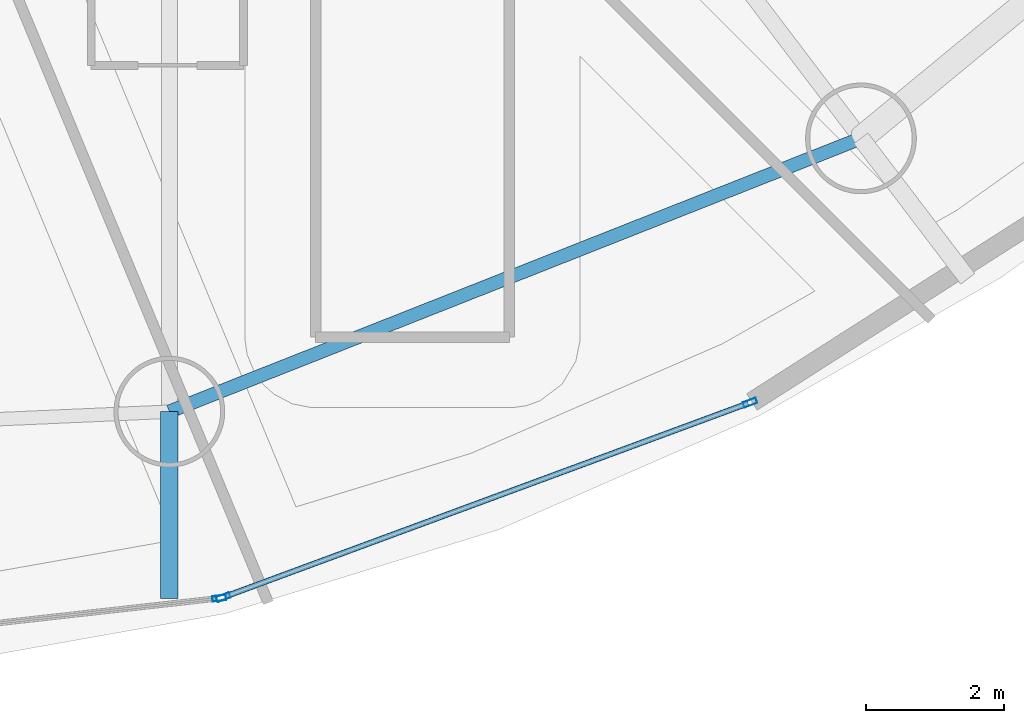
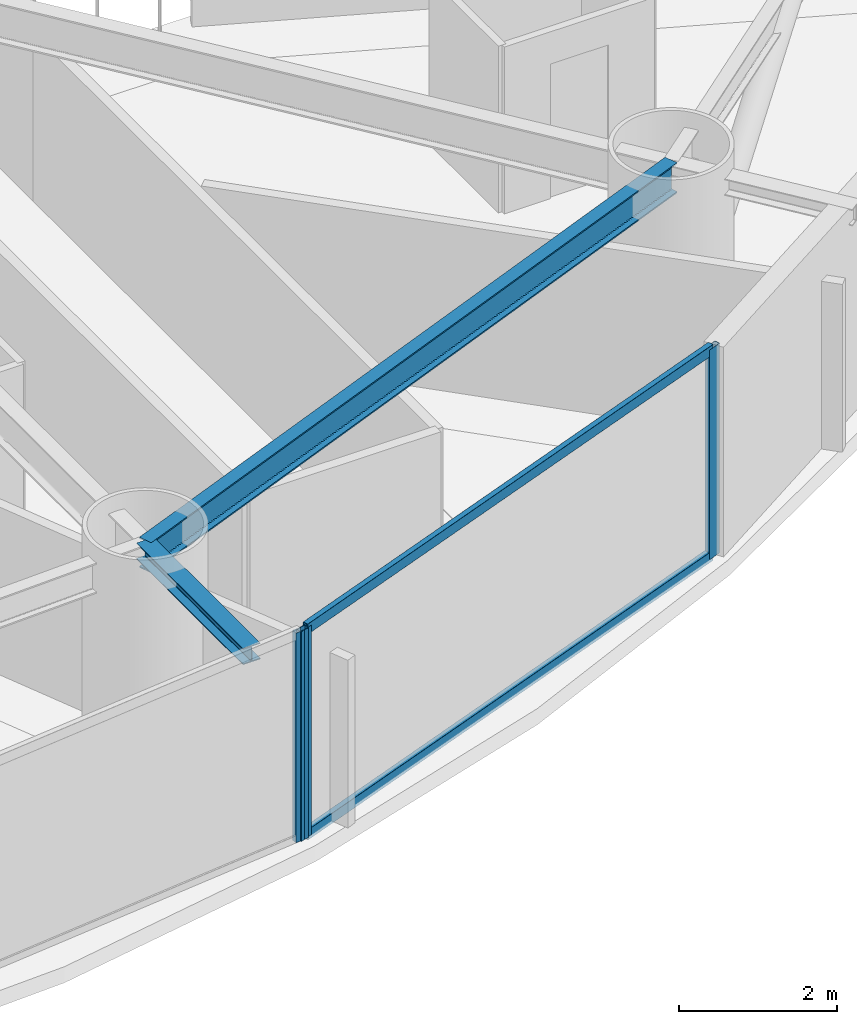
# One storey, part 9 of 27: 5 members, 2 beams, 2 elements without a shape of their own.
"""IFC4 building model written with IfcOpenShell, lengths in metres."""

from ifc_helpers import new_model, si_unit, direction, frame, origin, origin_2d, place, context, subcontext, project, spatial, hollow_rectangle, i_section, extrude, material, layer, layer_set, material_profile, profile_set, type_object, element, aggregate, save


model = new_model("IFC4")

# Units and contexts
model_context = context("Model", 3, precision=1e-05, world=origin(), true_north=direction((0.0, 1.0)))
body_context = subcontext(model_context, "Body", "Model", "MODEL_VIEW")
ifc_project = project(units=[si_unit("LENGTHUNIT", "METRE"), si_unit("AREAUNIT", "SQUARE_METRE"), si_unit("VOLUMEUNIT", "CUBIC_METRE"), si_unit("PLANEANGLEUNIT", "RADIAN"), si_unit("MASSUNIT", "GRAM", prefix="KILO")], contexts=[model_context])

# Site, building, storey
site_placement = place(None, origin())
site = spatial("IfcSite", under=ifc_project, at=site_placement, CompositionType="ELEMENT")
building_placement = place(site_placement, origin())
building = spatial("IfcBuilding", under=site, at=building_placement, Name="Bramvorn Convention Spire", CompositionType="ELEMENT")
storey_placement = place(building_placement, frame((0.0, 0.0, 41.39990234375)))
storey = spatial("IfcBuildingStorey", under=building, at=storey_placement, Name="L07", CompositionType="ELEMENT", Elevation=41.39990234375)

# Beams
ifc_material_1 = material(Name="Steel CSA G40.21 Grade 350 (350W)", Category="steel")
ifc_material_profile_1 = material_profile(ifc_material_1, i_section(OverallWidth=0.25390625, OverallDepth=0.2529296875, WebThickness=0.008544921875, FlangeThickness=0.01416015625, FilletRadius=0.011962890625, at=origin_2d()))
ifc_profile_set_1 = profile_set([ifc_material_profile_1], Name="Steel CSA G40.21 Grade 350 (350W) - W250X73")
beam_type_1 = type_object("IfcBeamType", Name="BM-W250X73", PredefinedType="BEAM", material=ifc_profile_set_1)
beam_1_placement = place(storey_placement, frame((46.23779296875, 5.42333984375, 3.12353515625), z_axis=(0.0, -1.0, 0.0), x_axis=(1.0, 0.0, 0.0)))
element("IfcBeam", 1, at=beam_1_placement, inside=storey, type_object=beam_type_1, Name="L07 slab-edge cantilever tip beam MC14", PredefinedType="BEAM", context=body_context, shape_type="SweptSolid", body=[
    extrude(i_section(OverallWidth=0.25390625, OverallDepth=0.2529296875, WebThickness=0.008544921875, FlangeThickness=0.01416015625, FilletRadius=0.011962890625, at=origin_2d()), origin(), (0.0, 0.0, 1.0), 2.701171875),
])
ifc_material_profile_2 = material_profile(ifc_material_1, i_section(OverallWidth=0.194091796875, OverallDepth=0.468994140625, WebThickness=0.0126953125, FlangeThickness=0.0205078125, FilletRadius=0.01806640625, at=origin_2d()))
ifc_profile_set_2 = profile_set([ifc_material_profile_2], Name="Steel CSA G40.21 Grade 350 (350W) - W460X106")
beam_type_2 = type_object("IfcBeamType", Name="BM-W460X106", PredefinedType="SPANDREL", material=ifc_profile_set_2)
beam_2_placement = place(storey_placement, frame((46.23779296875, 5.42333984375, 3.015625), z_axis=(0.93000950609, 0.367535465749, 0.0), x_axis=(-0.367535465749, 0.93000950609, 0.0)))
element("IfcBeam", 2, at=beam_2_placement, inside=storey, type_object=beam_type_2, Name="L07 mega-column ring beam 14", PredefinedType="SPANDREL", context=body_context, shape_type="SweptSolid", body=[
    extrude(i_section(OverallWidth=0.194091796875, OverallDepth=0.468994140625, WebThickness=0.0126953125, FlangeThickness=0.0205078125, FilletRadius=0.01806640625, at=origin_2d()), origin(), (0.0, 0.0, 1.0), 10.74169921875),
])

# Curtain wall, member
ifc_material_2 = material(Name="Anodised Bronze Unitised Curtain Wall", Category="aluminium")
ifc_layer = layer(ifc_material_2, 0.179931640625)
ifc_layer_set = layer_set([ifc_layer], Name="Anodised Bronze Unitised Curtain Wall - CW-HTL-FRIT")
curtain_wall_type = type_object("IfcCurtainWallType", Name="CW-HTL-FRIT", PredefinedType="USERDEFINED", material=ifc_layer_set)
curtain_wall_1_placement = place(storey_placement, origin())
curtain_wall_1 = element("IfcCurtainWall", 3, at=curtain_wall_1_placement, inside=storey, type_object=curtain_wall_type, Name="L07 fritted glass curtain wall 19", ObjectType="UNITISED CURTAIN WALL", PredefinedType="USERDEFINED")
ifc_material_3 = material(Name="Anodised Bronze Aluminium 6063-T6", Category="aluminium")
ifc_material_profile_3 = material_profile(ifc_material_3, hollow_rectangle(XDim=0.080078125, YDim=0.199951171875, WallThickness=0.00390625, InnerFilletRadius=0.0009765625, OuterFilletRadius=0.00390625, at=origin_2d()))
ifc_profile_set_3 = profile_set([ifc_material_profile_3], Name="Anodised Bronze Aluminium 6063-T6 - CWM80X200")
member_type_1 = type_object("IfcMemberType", Name="CW-MUL-180", PredefinedType="MULLION", material=ifc_profile_set_3)
member_1_placement = place(storey_placement, frame((46.959228515625, 2.729248046875, 0.0), z_axis=(0.0, 0.0, 1.0), x_axis=(0.111583433445, -0.993755069109, 0.0)))
member_1 = element("IfcMember", 4, at=member_1_placement, type_object=member_type_1, Name="CW2 mullion 1", PredefinedType="MULLION", context=body_context, shape_type="SweptSolid", body=[
    extrude(hollow_rectangle(XDim=0.080078125, YDim=0.199951171875, WallThickness=0.00390625, InnerFilletRadius=0.0009765625, OuterFilletRadius=0.00390625, at=origin_2d()), origin(), (0.0, 0.0, 1.0), 3.25),
])
aggregate(curtain_wall_1, [member_1])

# Curtain wall, members
curtain_wall_2_placement = place(storey_placement, origin())
curtain_wall_2 = element("IfcCurtainWall", 5, at=curtain_wall_2_placement, inside=storey, type_object=curtain_wall_type, Name="L07 fritted glass curtain wall 20", ObjectType="UNITISED CURTAIN WALL", PredefinedType="USERDEFINED")
member_2_placement = place(storey_placement, frame((54.625244140625, 5.5537109375, 0.0), z_axis=(0.0, 0.0, 1.0), x_axis=(0.346549715774, -0.938031606342, 0.0)))
member_2 = element("IfcMember", 6, at=member_2_placement, type_object=member_type_1, Name="CW2 mullion 1", PredefinedType="MULLION", context=body_context, shape_type="SweptSolid", body=[
    extrude(hollow_rectangle(XDim=0.080078125, YDim=0.199951171875, WallThickness=0.00390625, InnerFilletRadius=0.0009765625, OuterFilletRadius=0.00390625, at=origin_2d()), origin(), (0.0, 0.0, 1.0), 3.25),
])
member_3_placement = place(storey_placement, frame((47.01708984375, 2.742919921875, 0.0), z_axis=(0.0, 0.0, 1.0), x_axis=(0.346549715774, -0.938031606342, 0.0)))
member_3 = element("IfcMember", 7, at=member_3_placement, type_object=member_type_1, Name="CW2 mullion 2", PredefinedType="MULLION", context=body_context, shape_type="SweptSolid", body=[
    extrude(hollow_rectangle(XDim=0.080078125, YDim=0.199951171875, WallThickness=0.00390625, InnerFilletRadius=0.0009765625, OuterFilletRadius=0.00390625, at=origin_2d()), origin(), (0.0, 0.0, 1.0), 3.25),
])
ifc_material_profile_4 = material_profile(ifc_material_3, hollow_rectangle(XDim=0.080078125, YDim=0.159912109375, WallThickness=0.00390625, InnerFilletRadius=0.0009765625, OuterFilletRadius=0.00390625, at=origin_2d()))
ifc_profile_set_4 = profile_set([ifc_material_profile_4], Name="Anodised Bronze Aluminium 6063-T6 - CWT80X160")
member_type_2 = type_object("IfcMemberType", Name="CW-TRN-150", PredefinedType="USERDEFINED", material=ifc_profile_set_4)
member_4_placement = place(storey_placement, frame((54.59716796875, 5.54345703125, 0.030029296875), z_axis=(-0.938031576505, -0.346549796538, 0.0), x_axis=(0.346549796538, -0.938031576505, 0.0)))
member_4 = element("IfcMember", 8, at=member_4_placement, type_object=member_type_2, Name="CW2 transom 1.1", ObjectType="TRANSOM", PredefinedType="USERDEFINED", context=body_context, shape_type="SweptSolid", body=[
    extrude(hollow_rectangle(XDim=0.080078125, YDim=0.159912109375, WallThickness=0.00390625, InnerFilletRadius=0.0009765625, OuterFilletRadius=0.00390625, at=origin_2d()), origin(), (0.0, 0.0, 1.0), 8.051025390625),
])
member_5_placement = place(storey_placement, frame((54.59716796875, 5.54345703125, 3.22021484375), z_axis=(-0.938031576505, -0.346549796538, 0.0), x_axis=(0.346549796538, -0.938031576505, 0.0)))
member_5 = element("IfcMember", 9, at=member_5_placement, type_object=member_type_2, Name="CW2 transom 1.2", ObjectType="TRANSOM", PredefinedType="USERDEFINED", context=body_context, shape_type="SweptSolid", body=[
    extrude(hollow_rectangle(XDim=0.080078125, YDim=0.159912109375, WallThickness=0.00390625, InnerFilletRadius=0.0009765625, OuterFilletRadius=0.00390625, at=origin_2d()), origin(), (0.0, 0.0, 1.0), 8.051025390625),
])
aggregate(curtain_wall_2, [member_2, member_3, member_4, member_5])

save(model, "model.ifc")
